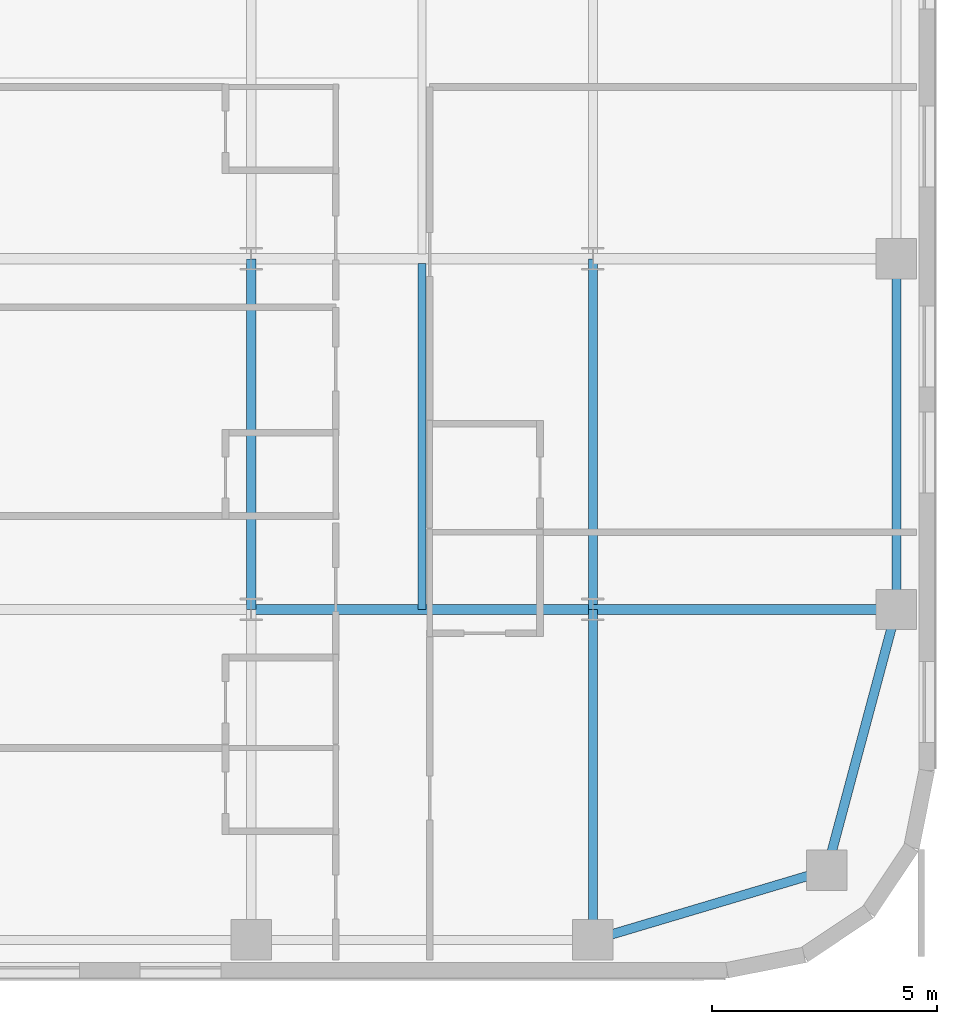
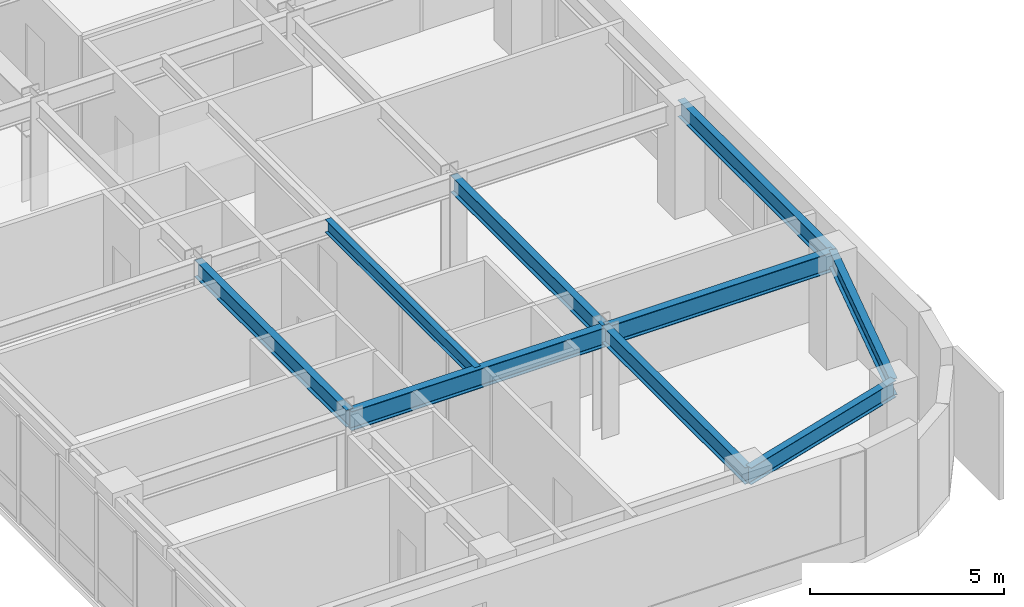
# One storey, part 10 of 24: 9 beams.
"""IFC4 building model written with IfcOpenShell, lengths in metres."""

from ifc_helpers import new_model, si_unit, direction, frame, origin, origin_2d, place, context, subcontext, project, spatial, i_section, extrude, source, transform, mapped, material, material_profile, profile_set, type_object, type_shapes, element, save


model = new_model("IFC4")

# Units and contexts
model_context = context("Model", 3, precision=1e-05, world=origin(), true_north=direction((0.0, 1.0)))
body_context = subcontext(model_context, "Body", "Model", "MODEL_VIEW")
ifc_project = project(units=[si_unit("LENGTHUNIT", "METRE"), si_unit("AREAUNIT", "SQUARE_METRE"), si_unit("VOLUMEUNIT", "CUBIC_METRE"), si_unit("PLANEANGLEUNIT", "RADIAN"), si_unit("MASSUNIT", "GRAM", prefix="KILO")], contexts=[model_context])

# Site, building, storey
site_placement = place(None, origin())
site = spatial("IfcSite", under=ifc_project, at=site_placement, CompositionType="ELEMENT")
building_placement = place(site_placement, origin())
building = spatial("IfcBuilding", under=site, at=building_placement, Name="Tolvann Quenvar Hotel", CompositionType="ELEMENT")
storey_placement = place(building_placement, frame((0.0, 0.0, 81.699951171875)))
storey = spatial("IfcBuildingStorey", under=building, at=storey_placement, Name="L20", CompositionType="ELEMENT", Elevation=81.699951171875)

# Beams
ifc_material = material(Name="Steel Grade 350", Category="steel")
ifc_material_profile_1 = material_profile(ifc_material, i_section(OverallWidth=0.208984375, OverallDepth=0.528076171875, WebThickness=0.009521484375, FlangeThickness=0.01318359375, FilletRadius=0.013916015625, at=origin_2d()), Name="530UB82")
ifc_profile_set_1 = profile_set([ifc_material_profile_1], Name="Steel Grade 350")
beam_type_1 = type_object("IfcBeamType", Name="BM_SPAND_530UB82", PredefinedType="SPANDREL", material=ifc_profile_set_1)
shared_shape_1 = source(origin(), body_context, "Body", "SweptSolid", [
    extrude(i_section(OverallWidth=0.208984375, OverallDepth=0.528076171875, WebThickness=0.009521484375, FlangeThickness=0.01318359375, FilletRadius=0.013916015625, at=origin_2d()), origin(), (0.0, 0.0, 1.0), 5.42626953125),
])
beam_1_placement = place(storey_placement, frame((49.39990234375, 0.85009765625, 3.10595703125), z_axis=(0.958344815522, 0.285613750654, 0.0), x_axis=(-0.285613750654, 0.958344815522, 0.0)))
element("IfcBeam", 1, at=beam_1_placement, inside=storey, type_object=beam_type_1, Name="BM-L20-EW-2-I2-J2", PredefinedType="SPANDREL", context=body_context, shape_type="MappedRepresentation", body=[
    mapped(shared_shape_1, transform((0.0, 0.0, 0.0), x_axis=(1.0, 0.0, 0.0), y_axis=(0.0, 1.0, 0.0), z_axis=(0.0, 0.0, 1.0), scale=1.0)),
])
ifc_material_profile_2 = material_profile(ifc_material, i_section(OverallWidth=0.22900390625, OverallDepth=0.612060546875, WebThickness=0.011962890625, FlangeThickness=0.01953125, FilletRadius=0.013916015625, at=origin_2d()), Name="610UB125")
ifc_profile_set_2 = profile_set([ifc_material_profile_2], Name="Steel Grade 350")
beam_type_2 = type_object("IfcBeamType", Name="BM_GIRD_610UB125", PredefinedType="BEAM", material=ifc_profile_set_2)
shared_shape_2 = source(origin(), body_context, "Body", "SweptSolid", [
    extrude(i_section(OverallWidth=0.22900390625, OverallDepth=0.612060546875, WebThickness=0.011962890625, FlangeThickness=0.01953125, FilletRadius=0.013916015625, at=origin_2d()), origin(), (0.0, 0.0, 1.0), 6.75),
])
beam_2_placement = place(storey_placement, frame((49.39990234375, 8.199951171875, 3.06396484375), z_axis=(1.0, 0.0, 0.0), x_axis=(0.0, 1.0, 0.0)))
element("IfcBeam", 2, at=beam_2_placement, inside=storey, type_object=beam_type_2, Name="BM-L20-EW-3-I3-J3", PredefinedType="BEAM", context=body_context, shape_type="MappedRepresentation", body=[
    mapped(shared_shape_2, transform((0.0, 0.0, 0.0), x_axis=(1.0, 0.0, 0.0), y_axis=(0.0, 1.0, 0.0), z_axis=(0.0, 0.0, 1.0), scale=1.0)),
])
shared_shape_3 = source(origin(), body_context, "Body", "SweptSolid", [
    extrude(i_section(OverallWidth=0.22900390625, OverallDepth=0.612060546875, WebThickness=0.011962890625, FlangeThickness=0.01953125, FilletRadius=0.013916015625, at=origin_2d()), origin(), (0.0, 0.0, 1.0), 7.599853515625),
])
type_shapes(beam_type_2, [shared_shape_2, shared_shape_3])
beam_3_placement = place(storey_placement, frame((41.800048828125, 8.199951171875, 3.06396484375), z_axis=(1.0, 0.0, 0.0), x_axis=(0.0, 1.0, 0.0)))
element("IfcBeam", 3, at=beam_3_placement, inside=storey, type_object=beam_type_2, Name="BM-L20-EW-3-H3-I3", PredefinedType="BEAM", context=body_context, shape_type="MappedRepresentation", body=[
    mapped(shared_shape_3, transform((0.0, 0.0, 0.0), x_axis=(1.0, 0.0, 0.0), y_axis=(0.0, 1.0, 0.0), z_axis=(0.0, 0.0, 1.0), scale=1.0)),
])
shared_shape_4 = source(origin(), body_context, "Body", "SweptSolid", [
    extrude(i_section(OverallWidth=0.208984375, OverallDepth=0.528076171875, WebThickness=0.009521484375, FlangeThickness=0.01318359375, FilletRadius=0.013916015625, at=origin_2d()), origin(), (0.0, 0.0, 1.0), 6.00341796875),
])
beam_4_placement = place(storey_placement, frame((54.60009765625, 2.39990234375, 3.10595703125), z_axis=(0.258148586649, 0.966105225745, 0.0), x_axis=(-0.966105225745, 0.258148586649, 0.0)))
element("IfcBeam", 4, at=beam_4_placement, inside=storey, type_object=beam_type_1, Name="BM-L20-NS-J2-J3", PredefinedType="SPANDREL", context=body_context, shape_type="MappedRepresentation", body=[
    mapped(shared_shape_4, transform((0.0, 0.0, 0.0), x_axis=(1.0, 0.0, 0.0), y_axis=(0.0, 1.0, 0.0), z_axis=(0.0, 0.0, 1.0), scale=1.0)),
])
shared_shape_5 = source(origin(), body_context, "Body", "SweptSolid", [
    extrude(i_section(OverallWidth=0.208984375, OverallDepth=0.528076171875, WebThickness=0.009521484375, FlangeThickness=0.01318359375, FilletRadius=0.013916015625, at=origin_2d()), origin(), (0.0, 0.0, 1.0), 7.800048828125),
])
type_shapes(beam_type_1, [shared_shape_1, shared_shape_4, shared_shape_5])
beam_5_placement = place(storey_placement, frame((56.14990234375, 8.199951171875, 3.10595703125), z_axis=(0.0, 1.0, 0.0), x_axis=(-1.0, 0.0, 0.0)))
element("IfcBeam", 5, at=beam_5_placement, inside=storey, type_object=beam_type_1, Name="BM-L20-NS-J3-J4", PredefinedType="SPANDREL", context=body_context, shape_type="MappedRepresentation", body=[
    mapped(shared_shape_5, transform((0.0, 0.0, 0.0), x_axis=(1.0, 0.0, 0.0), y_axis=(0.0, 1.0, 0.0), z_axis=(0.0, 0.0, 1.0), scale=1.0)),
])
ifc_material_profile_3 = material_profile(ifc_material, i_section(OverallWidth=0.208984375, OverallDepth=0.532958984375, WebThickness=0.01025390625, FlangeThickness=0.015625, FilletRadius=0.013916015625, at=origin_2d()), Name="530UB92")
ifc_profile_set_3 = profile_set([ifc_material_profile_3], Name="Steel Grade 350")
beam_type_3 = type_object("IfcBeamType", Name="BM_GIRD_530UB92", PredefinedType="BEAM", material=ifc_profile_set_3)
shared_shape_6 = source(origin(), body_context, "Body", "SweptSolid", [
    extrude(i_section(OverallWidth=0.208984375, OverallDepth=0.532958984375, WebThickness=0.01025390625, FlangeThickness=0.015625, FilletRadius=0.013916015625, at=origin_2d()), origin(), (0.0, 0.0, 1.0), 7.349853515625),
])
beam_6_placement = place(storey_placement, frame((49.39990234375, 0.85009765625, 3.103515625), z_axis=(0.0, 1.0, 0.0), x_axis=(-1.0, 0.0, 0.0)))
element("IfcBeam", 6, at=beam_6_placement, inside=storey, type_object=beam_type_3, Name="BM-L20-NS-I2-I3", PredefinedType="BEAM", context=body_context, shape_type="MappedRepresentation", body=[
    mapped(shared_shape_6, transform((0.0, 0.0, 0.0), x_axis=(1.0, 0.0, 0.0), y_axis=(0.0, 1.0, 0.0), z_axis=(0.0, 0.0, 1.0), scale=1.0)),
])
shared_shape_7 = source(origin(), body_context, "Body", "SweptSolid", [
    extrude(i_section(OverallWidth=0.208984375, OverallDepth=0.532958984375, WebThickness=0.01025390625, FlangeThickness=0.015625, FilletRadius=0.013916015625, at=origin_2d()), origin(), (0.0, 0.0, 1.0), 7.800048828125),
])
type_shapes(beam_type_3, [shared_shape_6, shared_shape_7])
for number, where, z_axis, x_axis, name in (
    (7, (41.800048828125, 8.199951171875, 3.103515625), (0.0, 1.0, 0.0), (-1.0, 0.0, 0.0), "BM-L20-NS-H3-H4"),
    (8, (49.39990234375, 8.199951171875, 3.103515625), (0.0, 1.0, 0.0), (-1.0, 0.0, 0.0), "BM-L20-NS-I3-I4"),
):
    element("IfcBeam", number, at=place(storey_placement, frame(where, z_axis=z_axis, x_axis=x_axis)), inside=storey, type_object=beam_type_3, Name=name, PredefinedType="BEAM", context=body_context, shape_type="MappedRepresentation", body=[
        mapped(shared_shape_7, transform((0.0, 0.0, 0.0), x_axis=(1.0, 0.0, 0.0), y_axis=(0.0, 1.0, 0.0), z_axis=(0.0, 0.0, 1.0), scale=1.0)),
    ])
ifc_material_profile_4 = material_profile(ifc_material, i_section(OverallWidth=0.177978515625, OverallDepth=0.406005859375, WebThickness=0.0078125, FlangeThickness=0.0126953125, FilletRadius=0.011474609375, at=origin_2d()), Name="410UB60")
ifc_profile_set_4 = profile_set([ifc_material_profile_4], Name="Steel Grade 350")
beam_type_4 = type_object("IfcBeamType", Name="BM_JOIST_410UB60", PredefinedType="JOIST", material=ifc_profile_set_4)
shared_shape_8 = source(origin(), body_context, "Body", "SweptSolid", [
    extrude(i_section(OverallWidth=0.177978515625, OverallDepth=0.406005859375, WebThickness=0.0078125, FlangeThickness=0.0126953125, FilletRadius=0.011474609375, at=origin_2d()), origin(), (0.0, 0.0, 1.0), 7.691650390625),
])
type_shapes(beam_type_4, [shared_shape_8])
beam_7_placement = place(storey_placement, frame((45.60009765625, 8.199951171875, 3.1669921875), z_axis=(0.0, 1.0, 0.0), x_axis=(-1.0, 0.0, 0.0)))
element("IfcBeam", 9, at=beam_7_placement, inside=storey, type_object=beam_type_4, Name="BJ-L20-456-82", PredefinedType="JOIST", context=body_context, shape_type="MappedRepresentation", body=[
    mapped(shared_shape_8, transform((0.0, 0.0, 0.0), x_axis=(1.0, 0.0, 0.0), y_axis=(0.0, 1.0, 0.0), z_axis=(0.0, 0.0, 1.0), scale=1.0)),
])

save(model, "model.ifc")
